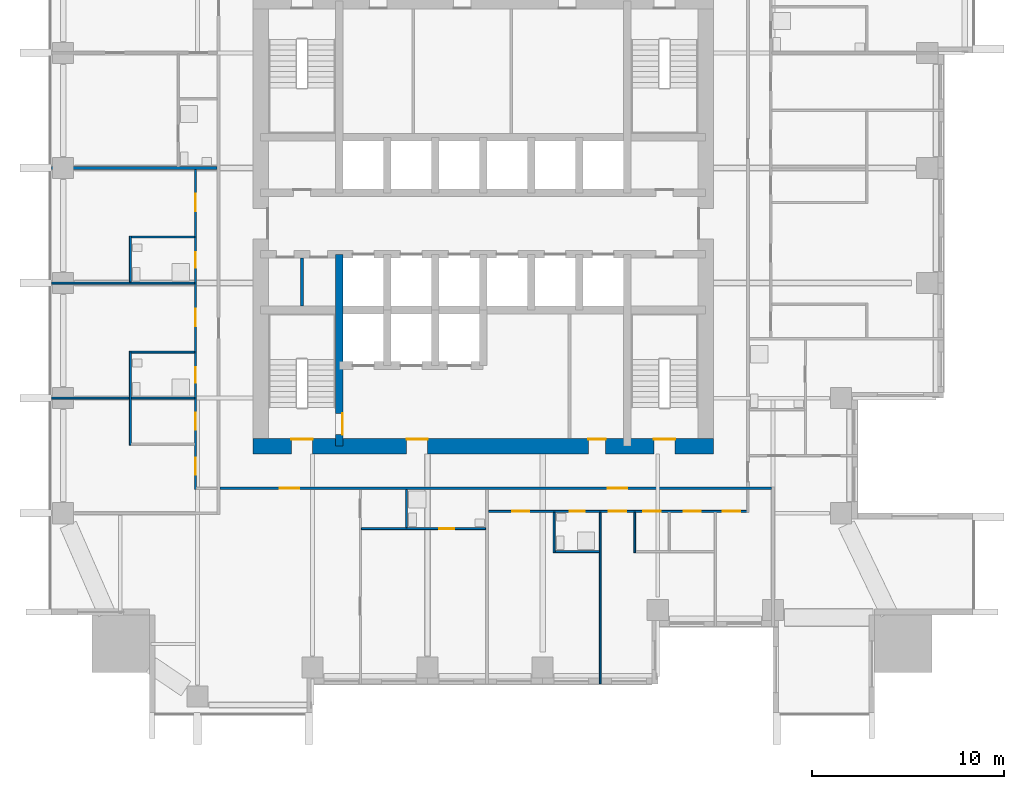
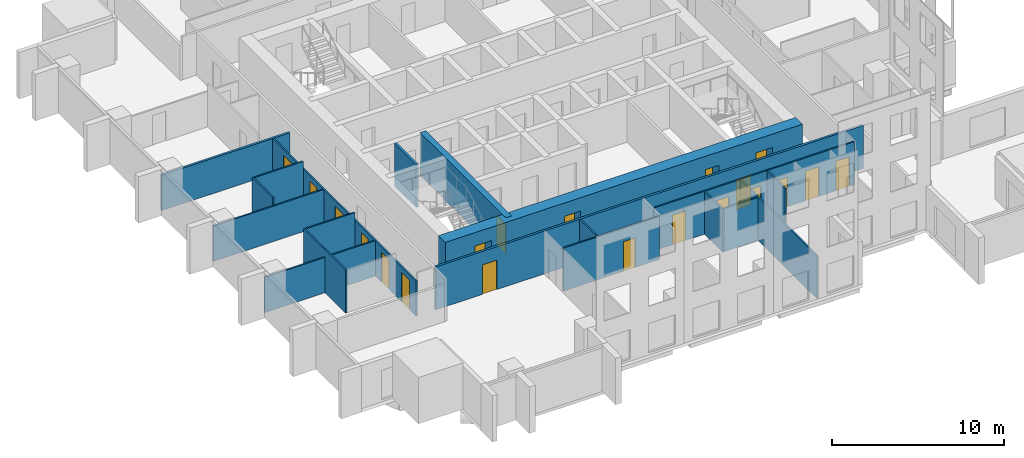
# One storey, part 4 of 13: 20 doors, 19 walls, 20 openings.
"""IFC4 building model written with IfcOpenShell, lengths in metres."""

from ifc_helpers import new_model, si_unit, direction, frame, frame_2d, origin, place, context, subcontext, project, spatial, rectangle, extrude, material, layer, layer_set, type_object, element, fill, save


model = new_model("IFC4")

# Units and contexts
model_context = context("Model", 3, precision=1e-05, world=origin(), true_north=direction((0.0, 1.0)))
body_context = subcontext(model_context, "Body", "Model", "MODEL_VIEW")
ifc_project = project(units=[si_unit("LENGTHUNIT", "METRE"), si_unit("AREAUNIT", "SQUARE_METRE"), si_unit("VOLUMEUNIT", "CUBIC_METRE"), si_unit("PLANEANGLEUNIT", "RADIAN"), si_unit("MASSUNIT", "GRAM", prefix="KILO")], contexts=[model_context])

# Site, building, storey
site_placement = place(None, origin())
site = spatial("IfcSite", under=ifc_project, at=site_placement, CompositionType="ELEMENT")
building_placement = place(site_placement, origin())
building = spatial("IfcBuilding", under=site, at=building_placement, Name="Amberfall Residences", CompositionType="ELEMENT")
storey_placement = place(building_placement, frame((0.0, 0.0, 78.699951171875)))
storey = spatial("IfcBuildingStorey", under=building, at=storey_placement, Name="L20", CompositionType="ELEMENT", Elevation=78.699951171875)

# Wall, opening, door
ifc_material_1 = material(Name="Concrete C70", Category="concrete")
ifc_layer_1 = layer(ifc_material_1, 0.39990234375)
ifc_layer_set_1 = layer_set([ifc_layer_1], Name="Core wall 400 C70")
wall_type_1 = type_object("IfcWallType", Name="Core wall 400 C70", PredefinedType="SHEAR", material=ifc_layer_set_1)
wall_1_placement = place(storey_placement, frame((67.0, 33.89990234375, 0.0), z_axis=(0.0, 0.0, 1.0), x_axis=(0.0, 1.0, 0.0)))
wall_1 = element("IfcWall", 1, at=wall_1_placement, inside=storey, type_object=wall_type_1, Name="Core wall RW4 L20 V45S", PredefinedType="SHEAR", context=body_context, shape_type="SweptSolid", body=[
    extrude(rectangle(XDim=10.0, YDim=0.39990234375, at=frame_2d((5.0, 0.0))), origin(), (0.0, 0.0, 1.0), 3.050048828125),
])
opening_1_placement = place(wall_1_placement, frame((0.60009765625, 0.0, 0.0)))
opening_1 = element("IfcOpeningElement", 2, at=opening_1_placement, cuts=wall_1, Name="Opening FL1", PredefinedType="OPENING", context=body_context, shape_type="SweptSolid", body=[
    extrude(rectangle(XDim=1.10009765625, YDim=2.10009765625, at=frame_2d((0.550048828125, 1.050048828125))), frame((0.0, 0.2099609375, 0.0), z_axis=(0.0, -1.0, 0.0), x_axis=(1.0, 0.0, 0.0)), (0.0, 0.0, 1.0), 0.419921875),
])
ifc_material_2 = material(Name="Steel fire door set", Category="steel")
door_type_1 = type_object("IfcDoorType", Name="Firefighting lobby door 1100 x 2100", OperationType="SINGLE_SWING_LEFT", PredefinedType="DOOR", material=ifc_material_2)
door_1_placement = place(opening_1_placement, origin())
door_1 = element("IfcDoor", 3, at=door_1_placement, inside=storey, type_object=door_type_1, Name="FL1 L20", OperationType="SINGLE_SWING_RIGHT", OverallHeight=2.10009765625, OverallWidth=1.10009765625, PredefinedType="DOOR", context=body_context, shape_type="SweptSolid", body=[
    extrude(rectangle(XDim=1.10009765625, YDim=2.10009765625, at=frame_2d((0.550048828125, 1.050048828125))), frame((0.0, -0.1376953125, 0.0), z_axis=(0.0, -1.0, 0.0), x_axis=(1.0, 0.0, 0.0)), (0.0, 0.0, 1.0), 0.050048828125),
])
fill(opening_1, door_1)

# Wall, openings, doors
ifc_layer_2 = layer(ifc_material_1, 0.800048828125)
ifc_layer_set_2 = layer_set([ifc_layer_2], Name="Core wall 800 C70")
wall_type_2 = type_object("IfcWallType", Name="Core wall 800 C70", PredefinedType="SHEAR", material=ifc_layer_set_2)
wall_2_placement = place(storey_placement, frame((62.5, 33.89990234375, 0.0), z_axis=(0.0, 0.0, 1.0), x_axis=(1.0, 0.0, 0.0)))
wall_2 = element("IfcWall", 4, at=wall_2_placement, inside=storey, type_object=wall_type_2, Name="Core wall RW3 L20 OS", PredefinedType="SHEAR", context=body_context, shape_type="SweptSolid", body=[
    extrude(rectangle(XDim=24.0, YDim=0.800048828125, at=frame_2d((12.0, 0.0))), origin(), (0.0, 0.0, 1.0), 3.050048828125),
])
opening_2_placement = place(wall_2_placement, frame((2.0, 0.0, 0.0)))
opening_2 = element("IfcOpeningElement", 5, at=opening_2_placement, cuts=wall_2, Name="Opening SD1", PredefinedType="OPENING", context=body_context, shape_type="SweptSolid", body=[
    extrude(rectangle(XDim=1.10009765625, YDim=2.10009765625, at=frame_2d((0.550048828125, 1.050048828125))), frame((0.0, 0.409912109375, 0.0), z_axis=(0.0, -1.0, 0.0), x_axis=(1.0, 0.0, 0.0)), (0.0, 0.0, 1.0), 0.820068359375),
])
opening_3_placement = place(wall_2_placement, frame((20.89990234375, 0.0, 0.0)))
opening_3 = element("IfcOpeningElement", 6, at=opening_3_placement, cuts=wall_2, Name="Opening SD1", PredefinedType="OPENING", context=body_context, shape_type="SweptSolid", body=[
    extrude(rectangle(XDim=1.10009765625, YDim=2.10009765625, at=frame_2d((0.550048828125, 1.050048828125))), frame((0.0, 0.409912109375, 0.0), z_axis=(0.0, -1.0, 0.0), x_axis=(1.0, 0.0, 0.0)), (0.0, 0.0, 1.0), 0.820068359375),
])
opening_4_placement = place(wall_2_placement, frame((8.0, 0.0, 0.0)))
opening_4 = element("IfcOpeningElement", 7, at=opening_4_placement, cuts=wall_2, Name="Opening FL1", PredefinedType="OPENING", context=body_context, shape_type="SweptSolid", body=[
    extrude(rectangle(XDim=1.10009765625, YDim=2.10009765625, at=frame_2d((0.550048828125, 1.050048828125))), frame((0.0, 0.409912109375, 0.0), z_axis=(0.0, -1.0, 0.0), x_axis=(1.0, 0.0, 0.0)), (0.0, 0.0, 1.0), 0.820068359375),
])
opening_5_placement = place(wall_2_placement, frame((17.487548828125, 0.0, 0.0)))
opening_5 = element("IfcOpeningElement", 8, at=opening_5_placement, cuts=wall_2, Name="Opening RD1", PredefinedType="OPENING", context=body_context, shape_type="SweptSolid", body=[
    extrude(rectangle(XDim=0.89990234375, YDim=2.10009765625, at=frame_2d((0.449951171875, 1.050048828125))), frame((0.0, 0.409912109375, 0.0), z_axis=(0.0, -1.0, 0.0), x_axis=(1.0, 0.0, 0.0)), (0.0, 0.0, 1.0), 0.820068359375),
])
door_2_placement = place(opening_4_placement, origin())
door_2 = element("IfcDoor", 9, at=door_2_placement, inside=storey, type_object=door_type_1, Name="FL1 L20", OperationType="SINGLE_SWING_LEFT", OverallHeight=2.10009765625, OverallWidth=1.10009765625, PredefinedType="DOOR", context=body_context, shape_type="SweptSolid", body=[
    extrude(rectangle(XDim=1.10009765625, YDim=2.10009765625, at=frame_2d((0.550048828125, 1.050048828125))), frame((0.0, 0.3876953125, 0.0), z_axis=(0.0, -1.0, 0.0), x_axis=(1.0, 0.0, 0.0)), (0.0, 0.0, 1.0), 0.050048828125),
])
fill(opening_4, door_2)
door_type_2 = type_object("IfcDoorType", Name="Service room door 900 x 2100", OperationType="SINGLE_SWING_LEFT", PredefinedType="DOOR", material=ifc_material_2)
door_3_placement = place(opening_5_placement, origin())
door_3 = element("IfcDoor", 10, at=door_3_placement, inside=storey, type_object=door_type_2, Name="RD1 L20", OperationType="SINGLE_SWING_LEFT", OverallHeight=2.10009765625, OverallWidth=0.89990234375, PredefinedType="DOOR", context=body_context, shape_type="SweptSolid", body=[
    extrude(rectangle(XDim=0.89990234375, YDim=2.10009765625, at=frame_2d((0.449951171875, 1.050048828125))), frame((0.0, 0.3876953125, 0.0), z_axis=(0.0, -1.0, 0.0), x_axis=(1.0, 0.0, 0.0)), (0.0, 0.0, 1.0), 0.050048828125),
])
fill(opening_5, door_3)
door_type_3 = type_object("IfcDoorType", Name="Stair door 1100 x 2100", OperationType="SINGLE_SWING_LEFT", PredefinedType="DOOR", material=ifc_material_2)
door_4_placement = place(opening_2_placement, origin())
door_4 = element("IfcDoor", 11, at=door_4_placement, inside=storey, type_object=door_type_3, Name="SD1 L20", OperationType="SINGLE_SWING_LEFT", OverallHeight=2.10009765625, OverallWidth=1.10009765625, PredefinedType="DOOR", context=body_context, shape_type="SweptSolid", body=[
    extrude(rectangle(XDim=1.10009765625, YDim=2.10009765625, at=frame_2d((0.550048828125, 1.050048828125))), frame((0.0, 0.3876953125, 0.0), z_axis=(0.0, -1.0, 0.0), x_axis=(1.0, 0.0, 0.0)), (0.0, 0.0, 1.0), 0.050048828125),
])
fill(opening_2, door_4)
door_5_placement = place(opening_3_placement, origin())
door_5 = element("IfcDoor", 12, at=door_5_placement, inside=storey, type_object=door_type_3, Name="SD1 L20", OperationType="SINGLE_SWING_RIGHT", OverallHeight=2.10009765625, OverallWidth=1.10009765625, PredefinedType="DOOR", context=body_context, shape_type="SweptSolid", body=[
    extrude(rectangle(XDim=1.10009765625, YDim=2.10009765625, at=frame_2d((0.550048828125, 1.050048828125))), frame((0.0, 0.3876953125, 0.0), z_axis=(0.0, -1.0, 0.0), x_axis=(1.0, 0.0, 0.0)), (0.0, 0.0, 1.0), 0.050048828125),
])
fill(opening_3, door_5)

# Walls
ifc_material_3 = material(Name="Gypsum board on metal stud")
ifc_layer_3 = layer(ifc_material_3, 0.10009765625)
ifc_layer_set_3 = layer_set([ifc_layer_3], Name="Flat partition 100")
wall_type_3 = type_object("IfcWallType", Name="Flat partition 100", PredefinedType="PARTITIONING", material=ifc_layer_set_3)
wall_3_placement = place(storey_placement, frame((56.10009765625, 33.949951171875, 0.0), z_axis=(0.0, 0.0, 1.0), x_axis=(0.0, 1.0, 0.0)))
element("IfcWall", 13, at=wall_3_placement, inside=storey, type_object=wall_type_3, Name="Partition 001", PredefinedType="PARTITIONING", context=body_context, shape_type="SweptSolid", body=[
    extrude(rectangle(XDim=4.900146484375, YDim=0.10009765625, at=frame_2d((2.4501953125, 0.0))), origin(), (0.0, 0.0, 1.0), 3.050048828125),
])
wall_4_placement = place(storey_placement, frame((56.10009765625, 42.449951171875, 0.0), z_axis=(0.0, 0.0, 1.0), x_axis=(0.0, 1.0, 0.0)))
element("IfcWall", 14, at=wall_4_placement, inside=storey, type_object=wall_type_3, Name="Partition 002", PredefinedType="PARTITIONING", context=body_context, shape_type="SweptSolid", body=[
    extrude(rectangle(XDim=2.400146484375, YDim=0.10009765625, at=frame_2d((1.2001953125, 0.0))), origin(), (0.0, 0.0, 1.0), 3.050048828125),
])

# Wall, openings, doors
wall_5_placement = place(storey_placement, frame((59.5, 31.64990234375, 0.0), z_axis=(0.0, 0.0, 1.0), x_axis=(0.0, 1.0, 0.0)))
wall_5 = element("IfcWall", 15, at=wall_5_placement, inside=storey, type_object=wall_type_3, Name="Partition 004", PredefinedType="PARTITIONING", context=body_context, shape_type="SweptSolid", body=[
    extrude(rectangle(XDim=16.675048828125, YDim=0.10009765625, at=frame_2d((8.33740234375, 0.0))), origin(), (0.0, 0.0, 1.0), 2.510009765625),
])
opening_6_placement = place(wall_5_placement, frame((0.75, 0.0, 0.0)))
opening_6 = element("IfcOpeningElement", 16, at=opening_6_placement, cuts=wall_5, Name="Opening D41", PredefinedType="OPENING", context=body_context, shape_type="SweptSolid", body=[
    extrude(rectangle(XDim=0.89990234375, YDim=2.10009765625, at=frame_2d((0.449951171875, 1.050048828125))), frame((0.0, 0.06005859375, 0.0), z_axis=(0.0, -1.0, 0.0), x_axis=(1.0, 0.0, 0.0)), (0.0, 0.0, 1.0), 0.1201171875),
])
opening_7_placement = place(wall_5_placement, frame((3.10009765625, 0.0, 0.0)))
opening_7 = element("IfcOpeningElement", 17, at=opening_7_placement, cuts=wall_5, Name="Opening D41", PredefinedType="OPENING", context=body_context, shape_type="SweptSolid", body=[
    extrude(rectangle(XDim=0.89990234375, YDim=2.10009765625, at=frame_2d((0.449951171875, 1.050048828125))), frame((0.0, 0.06005859375, 0.0), z_axis=(0.0, -1.0, 0.0), x_axis=(1.0, 0.0, 0.0)), (0.0, 0.0, 1.0), 0.1201171875),
])
opening_8_placement = place(wall_5_placement, frame((8.5, 0.0, 0.0)))
opening_8 = element("IfcOpeningElement", 18, at=opening_8_placement, cuts=wall_5, Name="Opening D41", PredefinedType="OPENING", context=body_context, shape_type="SweptSolid", body=[
    extrude(rectangle(XDim=0.89990234375, YDim=2.10009765625, at=frame_2d((0.449951171875, 1.050048828125))), frame((0.0, 0.06005859375, 0.0), z_axis=(0.0, -1.0, 0.0), x_axis=(1.0, 0.0, 0.0)), (0.0, 0.0, 1.0), 0.1201171875),
])
opening_9_placement = place(wall_5_placement, frame((14.5, 0.0, 0.0)))
opening_9 = element("IfcOpeningElement", 19, at=opening_9_placement, cuts=wall_5, Name="Opening D41", PredefinedType="OPENING", context=body_context, shape_type="SweptSolid", body=[
    extrude(rectangle(XDim=0.89990234375, YDim=2.10009765625, at=frame_2d((0.449951171875, 1.050048828125))), frame((0.0, 0.06005859375, 0.0), z_axis=(0.0, -1.0, 0.0), x_axis=(1.0, 0.0, 0.0)), (0.0, 0.0, 1.0), 0.1201171875),
])
opening_10_placement = place(wall_5_placement, frame((5.550048828125, 0.0, 0.0)))
opening_10 = element("IfcOpeningElement", 20, at=opening_10_placement, cuts=wall_5, Name="Opening D42", PredefinedType="OPENING", context=body_context, shape_type="SweptSolid", body=[
    extrude(rectangle(XDim=0.800048828125, YDim=2.10009765625, at=frame_2d((0.39990234375, 1.050048828125))), frame((0.0, 0.06005859375, 0.0), z_axis=(0.0, -1.0, 0.0), x_axis=(1.0, 0.0, 0.0)), (0.0, 0.0, 1.0), 0.1201171875),
])
opening_11_placement = place(wall_5_placement, frame((11.550048828125, 0.0, 0.0)))
opening_11 = element("IfcOpeningElement", 21, at=opening_11_placement, cuts=wall_5, Name="Opening D42", PredefinedType="OPENING", context=body_context, shape_type="SweptSolid", body=[
    extrude(rectangle(XDim=0.800048828125, YDim=2.10009765625, at=frame_2d((0.39990234375, 1.050048828125))), frame((0.0, 0.06005859375, 0.0), z_axis=(0.0, -1.0, 0.0), x_axis=(1.0, 0.0, 0.0)), (0.0, 0.0, 1.0), 0.1201171875),
])
ifc_material_4 = material(Name="Timber", Category="wood")
door_type_4 = type_object("IfcDoorType", Name="Bathroom door 800 x 2100", OperationType="SINGLE_SWING_LEFT", PredefinedType="DOOR", material=ifc_material_4)
door_6_placement = place(opening_10_placement, origin())
door_6 = element("IfcDoor", 22, at=door_6_placement, inside=storey, type_object=door_type_4, Name="Door 2007 bath1", OperationType="SINGLE_SWING_LEFT", OverallHeight=2.10009765625, OverallWidth=0.800048828125, PredefinedType="DOOR", context=body_context, shape_type="SweptSolid", body=[
    extrude(rectangle(XDim=0.800048828125, YDim=2.10009765625, at=frame_2d((0.39990234375, 1.050048828125))), frame((0.0, 0.02490234375, 0.0), z_axis=(0.0, -1.0, 0.0), x_axis=(1.0, 0.0, 0.0)), (0.0, 0.0, 1.0), 0.050048828125),
])
fill(opening_10, door_6)
door_7_placement = place(opening_11_placement, origin())
door_7 = element("IfcDoor", 23, at=door_7_placement, inside=storey, type_object=door_type_4, Name="Door 2007 bath2", OperationType="SINGLE_SWING_LEFT", OverallHeight=2.10009765625, OverallWidth=0.800048828125, PredefinedType="DOOR", context=body_context, shape_type="SweptSolid", body=[
    extrude(rectangle(XDim=0.800048828125, YDim=2.10009765625, at=frame_2d((0.39990234375, 1.050048828125))), frame((0.0, 0.02490234375, 0.0), z_axis=(0.0, -1.0, 0.0), x_axis=(1.0, 0.0, 0.0)), (0.0, 0.0, 1.0), 0.050048828125),
])
fill(opening_11, door_7)
door_type_5 = type_object("IfcDoorType", Name="Internal door 900 x 2100", OperationType="SINGLE_SWING_LEFT", PredefinedType="DOOR", material=ifc_material_4)
door_8_placement = place(opening_6_placement, origin())
door_8 = element("IfcDoor", 24, at=door_8_placement, inside=storey, type_object=door_type_5, Name="Door 2007 living", OperationType="SINGLE_SWING_LEFT", OverallHeight=2.10009765625, OverallWidth=0.89990234375, PredefinedType="DOOR", context=body_context, shape_type="SweptSolid", body=[
    extrude(rectangle(XDim=0.89990234375, YDim=2.10009765625, at=frame_2d((0.449951171875, 1.050048828125))), frame((0.0, 0.02490234375, 0.0), z_axis=(0.0, -1.0, 0.0), x_axis=(1.0, 0.0, 0.0)), (0.0, 0.0, 1.0), 0.050048828125),
])
fill(opening_6, door_8)
door_9_placement = place(opening_7_placement, origin())
door_9 = element("IfcDoor", 25, at=door_9_placement, inside=storey, type_object=door_type_5, Name="Door 2007 kitchen", OperationType="SINGLE_SWING_LEFT", OverallHeight=2.10009765625, OverallWidth=0.89990234375, PredefinedType="DOOR", context=body_context, shape_type="SweptSolid", body=[
    extrude(rectangle(XDim=0.89990234375, YDim=2.10009765625, at=frame_2d((0.449951171875, 1.050048828125))), frame((0.0, 0.02490234375, 0.0), z_axis=(0.0, -1.0, 0.0), x_axis=(1.0, 0.0, 0.0)), (0.0, 0.0, 1.0), 0.050048828125),
])
fill(opening_7, door_9)
door_10_placement = place(opening_8_placement, origin())
door_10 = element("IfcDoor", 26, at=door_10_placement, inside=storey, type_object=door_type_5, Name="Door 2007 bedroom1", OperationType="SINGLE_SWING_LEFT", OverallHeight=2.10009765625, OverallWidth=0.89990234375, PredefinedType="DOOR", context=body_context, shape_type="SweptSolid", body=[
    extrude(rectangle(XDim=0.89990234375, YDim=2.10009765625, at=frame_2d((0.449951171875, 1.050048828125))), frame((0.0, 0.02490234375, 0.0), z_axis=(0.0, -1.0, 0.0), x_axis=(1.0, 0.0, 0.0)), (0.0, 0.0, 1.0), 0.050048828125),
])
fill(opening_8, door_10)
door_11_placement = place(opening_9_placement, origin())
door_11 = element("IfcDoor", 27, at=door_11_placement, inside=storey, type_object=door_type_5, Name="Door 2007 bedroom2", OperationType="SINGLE_SWING_LEFT", OverallHeight=2.10009765625, OverallWidth=0.89990234375, PredefinedType="DOOR", context=body_context, shape_type="SweptSolid", body=[
    extrude(rectangle(XDim=0.89990234375, YDim=2.10009765625, at=frame_2d((0.449951171875, 1.050048828125))), frame((0.0, 0.02490234375, 0.0), z_axis=(0.0, -1.0, 0.0), x_axis=(1.0, 0.0, 0.0)), (0.0, 0.0, 1.0), 0.050048828125),
])
fill(opening_9, door_11)

# Walls
wall_6_placement = place(storey_placement, frame((70.5, 29.64990234375, 0.0), z_axis=(0.0, 0.0, 1.0), x_axis=(0.0, 1.0, 0.0)))
element("IfcWall", 28, at=wall_6_placement, inside=storey, type_object=wall_type_3, Name="Partition 010", PredefinedType="PARTITIONING", context=body_context, shape_type="SweptSolid", body=[
    extrude(rectangle(XDim=1.97509765625, YDim=0.10009765625, at=frame_2d((0.987548828125, 0.0))), origin(), (0.0, 0.0, 1.0), 3.050048828125),
])
wall_7_placement = place(storey_placement, frame((78.199951171875, 28.35009765625, 0.0), z_axis=(0.0, 0.0, 1.0), x_axis=(0.0, 1.0, 0.0)))
element("IfcWall", 29, at=wall_7_placement, inside=storey, type_object=wall_type_3, Name="Partition 013", PredefinedType="PARTITIONING", context=body_context, shape_type="SweptSolid", body=[
    extrude(rectangle(XDim=2.099853515625, YDim=0.10009765625, at=frame_2d((1.0498046875, 0.0))), origin(), (0.0, 0.0, 1.0), 3.050048828125),
])
wall_8_placement = place(storey_placement, frame((80.60009765625, 21.5, 0.0), z_axis=(0.0, 0.0, 1.0), x_axis=(0.0, 1.0, 0.0)))
element("IfcWall", 30, at=wall_8_placement, inside=storey, type_object=wall_type_3, Name="Partition 014", PredefinedType="PARTITIONING", context=body_context, shape_type="SweptSolid", body=[
    extrude(rectangle(XDim=8.949951171875, YDim=0.10009765625, at=frame_2d((4.47509765625, 0.0))), origin(), (0.0, 0.0, 1.0), 3.050048828125),
])
wall_9_placement = place(storey_placement, frame((82.39990234375, 28.35009765625, 0.0), z_axis=(0.0, 0.0, 1.0), x_axis=(0.0, 1.0, 0.0)))
element("IfcWall", 31, at=wall_9_placement, inside=storey, type_object=wall_type_3, Name="Partition 016", PredefinedType="PARTITIONING", context=body_context, shape_type="SweptSolid", body=[
    extrude(rectangle(XDim=2.099853515625, YDim=0.10009765625, at=frame_2d((1.0498046875, 0.0))), origin(), (0.0, 0.0, 1.0), 3.050048828125),
])
wall_10_placement = place(storey_placement, frame((56.14990234375, 44.800048828125, 0.0), z_axis=(0.0, 0.0, 1.0), x_axis=(1.0, 0.0, 0.0)))
element("IfcWall", 32, at=wall_10_placement, inside=storey, type_object=wall_type_3, Name="Partition 038", PredefinedType="PARTITIONING", context=body_context, shape_type="SweptSolid", body=[
    extrude(rectangle(XDim=3.300048828125, YDim=0.10009765625, at=frame_2d((1.64990234375, 0.0))), origin(), (0.0, 0.0, 1.0), 3.050048828125),
])
wall_11_placement = place(storey_placement, frame((52.0, 42.39990234375, 0.0), z_axis=(0.0, 0.0, 1.0), x_axis=(1.0, 0.0, 0.0)))
element("IfcWall", 33, at=wall_11_placement, inside=storey, type_object=wall_type_3, Name="Partition 039", PredefinedType="PARTITIONING", context=body_context, shape_type="SweptSolid", body=[
    extrude(rectangle(XDim=7.449951171875, YDim=0.10009765625, at=frame_2d((3.72509765625, 0.0))), origin(), (0.0, 0.0, 1.0), 2.51611328125),
])
wall_12_placement = place(storey_placement, frame((56.14990234375, 38.800048828125, 0.0), z_axis=(0.0, 0.0, 1.0), x_axis=(1.0, 0.0, 0.0)))
element("IfcWall", 34, at=wall_12_placement, inside=storey, type_object=wall_type_3, Name="Partition 041", PredefinedType="PARTITIONING", context=body_context, shape_type="SweptSolid", body=[
    extrude(rectangle(XDim=3.300048828125, YDim=0.10009765625, at=frame_2d((1.64990234375, 0.0))), origin(), (0.0, 0.0, 1.0), 3.050048828125),
])
wall_13_placement = place(storey_placement, frame((52.0, 36.39990234375, 0.0), z_axis=(0.0, 0.0, 1.0), x_axis=(1.0, 0.0, 0.0)))
element("IfcWall", 35, at=wall_13_placement, inside=storey, type_object=wall_type_3, Name="Partition 042", PredefinedType="PARTITIONING", context=body_context, shape_type="SweptSolid", body=[
    extrude(rectangle(XDim=7.449951171875, YDim=0.10009765625, at=frame_2d((3.72509765625, 0.0))), origin(), (0.0, 0.0, 1.0), 2.51611328125),
])

# Wall, openings, doors
wall_14_placement = place(storey_placement, frame((88.25, 30.5, 0.0), z_axis=(0.0, 0.0, 1.0), x_axis=(-1.0, 0.0, 0.0)))
wall_14 = element("IfcWall", 36, at=wall_14_placement, inside=storey, type_object=wall_type_3, Name="Partition 047", PredefinedType="PARTITIONING", context=body_context, shape_type="SweptSolid", body=[
    extrude(rectangle(XDim=13.47509765625, YDim=0.10009765625, at=frame_2d((6.737548828125, 0.0))), origin(), (0.0, 0.0, 1.0), 3.050048828125),
])
opening_12_placement = place(wall_14_placement, frame((6.300048828125, 0.0, 0.0)))
opening_12 = element("IfcOpeningElement", 37, at=opening_12_placement, cuts=wall_14, Name="Opening D41", PredefinedType="OPENING", context=body_context, shape_type="SweptSolid", body=[
    extrude(rectangle(XDim=0.89990234375, YDim=2.10009765625, at=frame_2d((0.449951171875, 1.050048828125))), frame((0.0, 0.06005859375, 0.0), z_axis=(0.0, -1.0, 0.0), x_axis=(1.0, 0.0, 0.0)), (0.0, 0.0, 1.0), 0.1201171875),
])
opening_13_placement = place(wall_14_placement, frame((2.39990234375, 0.0, 0.0)))
opening_13 = element("IfcOpeningElement", 38, at=opening_13_placement, cuts=wall_14, Name="Opening D41", PredefinedType="OPENING", context=body_context, shape_type="SweptSolid", body=[
    extrude(rectangle(XDim=0.89990234375, YDim=2.10009765625, at=frame_2d((0.449951171875, 1.050048828125))), frame((0.0, 0.06005859375, 0.0), z_axis=(0.0, -1.0, 0.0), x_axis=(1.0, 0.0, 0.0)), (0.0, 0.0, 1.0), 0.1201171875),
])
opening_14_placement = place(wall_14_placement, frame((4.5, 0.0, 0.0)))
opening_14 = element("IfcOpeningElement", 39, at=opening_14_placement, cuts=wall_14, Name="Opening D41", PredefinedType="OPENING", context=body_context, shape_type="SweptSolid", body=[
    extrude(rectangle(XDim=0.89990234375, YDim=2.10009765625, at=frame_2d((0.449951171875, 1.050048828125))), frame((0.0, 0.06005859375, 0.0), z_axis=(0.0, -1.0, 0.0), x_axis=(1.0, 0.0, 0.0)), (0.0, 0.0, 1.0), 0.1201171875),
])
opening_15_placement = place(wall_14_placement, frame((11.35009765625, 0.0, 0.0)))
opening_15 = element("IfcOpeningElement", 40, at=opening_15_placement, cuts=wall_14, Name="Opening D41", PredefinedType="OPENING", context=body_context, shape_type="SweptSolid", body=[
    extrude(rectangle(XDim=0.89990234375, YDim=2.10009765625, at=frame_2d((0.449951171875, 1.050048828125))), frame((0.0, 0.06005859375, 0.0), z_axis=(0.0, -1.0, 0.0), x_axis=(1.0, 0.0, 0.0)), (0.0, 0.0, 1.0), 0.1201171875),
])
opening_16_placement = place(wall_14_placement, frame((0.35009765625, 0.0, 0.0)))
opening_16 = element("IfcOpeningElement", 41, at=opening_16_placement, cuts=wall_14, Name="Opening D41", PredefinedType="OPENING", context=body_context, shape_type="SweptSolid", body=[
    extrude(rectangle(XDim=0.89990234375, YDim=2.10009765625, at=frame_2d((0.449951171875, 1.050048828125))), frame((0.0, 0.06005859375, 0.0), z_axis=(0.0, -1.0, 0.0), x_axis=(1.0, 0.0, 0.0)), (0.0, 0.0, 1.0), 0.1201171875),
])
opening_17_placement = place(wall_14_placement, frame((8.449951171875, 0.0, 0.0)))
opening_17 = element("IfcOpeningElement", 42, at=opening_17_placement, cuts=wall_14, Name="Opening D42", PredefinedType="OPENING", context=body_context, shape_type="SweptSolid", body=[
    extrude(rectangle(XDim=0.800048828125, YDim=2.10009765625, at=frame_2d((0.39990234375, 1.050048828125))), frame((0.0, 0.06005859375, 0.0), z_axis=(0.0, -1.0, 0.0), x_axis=(1.0, 0.0, 0.0)), (0.0, 0.0, 1.0), 0.1201171875),
])
door_12_placement = place(opening_17_placement, origin())
door_12 = element("IfcDoor", 43, at=door_12_placement, inside=storey, type_object=door_type_4, Name="Door 2002 bath1", OperationType="SINGLE_SWING_LEFT", OverallHeight=2.10009765625, OverallWidth=0.800048828125, PredefinedType="DOOR", context=body_context, shape_type="SweptSolid", body=[
    extrude(rectangle(XDim=0.800048828125, YDim=2.10009765625, at=frame_2d((0.39990234375, 1.050048828125))), frame((0.0, 0.02490234375, 0.0), z_axis=(0.0, -1.0, 0.0), x_axis=(1.0, 0.0, 0.0)), (0.0, 0.0, 1.0), 0.050048828125),
])
fill(opening_17, door_12)
door_13_placement = place(opening_12_placement, origin())
door_13 = element("IfcDoor", 44, at=door_13_placement, inside=storey, type_object=door_type_5, Name="Door 2002 living", OperationType="SINGLE_SWING_LEFT", OverallHeight=2.10009765625, OverallWidth=0.89990234375, PredefinedType="DOOR", context=body_context, shape_type="SweptSolid", body=[
    extrude(rectangle(XDim=0.89990234375, YDim=2.10009765625, at=frame_2d((0.449951171875, 1.050048828125))), frame((0.0, 0.02490234375, 0.0), z_axis=(0.0, -1.0, 0.0), x_axis=(1.0, 0.0, 0.0)), (0.0, 0.0, 1.0), 0.050048828125),
])
fill(opening_12, door_13)
door_14_placement = place(opening_13_placement, origin())
door_14 = element("IfcDoor", 45, at=door_14_placement, inside=storey, type_object=door_type_5, Name="Door 2002 kitchen", OperationType="SINGLE_SWING_LEFT", OverallHeight=2.10009765625, OverallWidth=0.89990234375, PredefinedType="DOOR", context=body_context, shape_type="SweptSolid", body=[
    extrude(rectangle(XDim=0.89990234375, YDim=2.10009765625, at=frame_2d((0.449951171875, 1.050048828125))), frame((0.0, 0.02490234375, 0.0), z_axis=(0.0, -1.0, 0.0), x_axis=(1.0, 0.0, 0.0)), (0.0, 0.0, 1.0), 0.050048828125),
])
fill(opening_13, door_14)
door_15_placement = place(opening_14_placement, origin())
door_15 = element("IfcDoor", 46, at=door_15_placement, inside=storey, type_object=door_type_5, Name="Door 2002 utility", OperationType="SINGLE_SWING_LEFT", OverallHeight=2.10009765625, OverallWidth=0.89990234375, PredefinedType="DOOR", context=body_context, shape_type="SweptSolid", body=[
    extrude(rectangle(XDim=0.89990234375, YDim=2.10009765625, at=frame_2d((0.449951171875, 1.050048828125))), frame((0.0, 0.02490234375, 0.0), z_axis=(0.0, -1.0, 0.0), x_axis=(1.0, 0.0, 0.0)), (0.0, 0.0, 1.0), 0.050048828125),
])
fill(opening_14, door_15)
door_16_placement = place(opening_15_placement, origin())
door_16 = element("IfcDoor", 47, at=door_16_placement, inside=storey, type_object=door_type_5, Name="Door 2002 bedroom1", OperationType="SINGLE_SWING_LEFT", OverallHeight=2.10009765625, OverallWidth=0.89990234375, PredefinedType="DOOR", context=body_context, shape_type="SweptSolid", body=[
    extrude(rectangle(XDim=0.89990234375, YDim=2.10009765625, at=frame_2d((0.449951171875, 1.050048828125))), frame((0.0, 0.02490234375, 0.0), z_axis=(0.0, -1.0, 0.0), x_axis=(1.0, 0.0, 0.0)), (0.0, 0.0, 1.0), 0.050048828125),
])
fill(opening_15, door_16)
door_17_placement = place(opening_16_placement, origin())
door_17 = element("IfcDoor", 48, at=door_17_placement, inside=storey, type_object=door_type_5, Name="Door 2002 bedroom2", OperationType="SINGLE_SWING_LEFT", OverallHeight=2.10009765625, OverallWidth=0.89990234375, PredefinedType="DOOR", context=body_context, shape_type="SweptSolid", body=[
    extrude(rectangle(XDim=0.89990234375, YDim=2.10009765625, at=frame_2d((0.449951171875, 1.050048828125))), frame((0.0, 0.02490234375, 0.0), z_axis=(0.0, -1.0, 0.0), x_axis=(1.0, 0.0, 0.0)), (0.0, 0.0, 1.0), 0.050048828125),
])
fill(opening_16, door_17)

# Wall, opening, door
wall_15_placement = place(storey_placement, frame((68.14990234375, 29.60009765625, 0.0), z_axis=(0.0, 0.0, 1.0), x_axis=(1.0, 0.0, 0.0)))
wall_15 = element("IfcWall", 49, at=wall_15_placement, inside=storey, type_object=wall_type_3, Name="Partition 048", PredefinedType="PARTITIONING", context=body_context, shape_type="SweptSolid", body=[
    extrude(rectangle(XDim=6.47509765625, YDim=0.10009765625, at=frame_2d((3.237548828125, 0.0))), origin(), (0.0, 0.0, 1.0), 3.050048828125),
])
opening_18_placement = place(wall_15_placement, frame((4.050048828125, 0.0, 0.0)))
opening_18 = element("IfcOpeningElement", 50, at=opening_18_placement, cuts=wall_15, Name="Opening D42", PredefinedType="OPENING", context=body_context, shape_type="SweptSolid", body=[
    extrude(rectangle(XDim=0.800048828125, YDim=2.10009765625, at=frame_2d((0.39990234375, 1.050048828125))), frame((0.0, 0.06005859375, 0.0), z_axis=(0.0, -1.0, 0.0), x_axis=(1.0, 0.0, 0.0)), (0.0, 0.0, 1.0), 0.1201171875),
])
door_18_placement = place(opening_18_placement, origin())
door_18 = element("IfcDoor", 51, at=door_18_placement, inside=storey, type_object=door_type_4, Name="Door 2001 bath1", OperationType="SINGLE_SWING_LEFT", OverallHeight=2.10009765625, OverallWidth=0.800048828125, PredefinedType="DOOR", context=body_context, shape_type="SweptSolid", body=[
    extrude(rectangle(XDim=0.800048828125, YDim=2.10009765625, at=frame_2d((0.39990234375, 1.050048828125))), frame((0.0, 0.02490234375, 0.0), z_axis=(0.0, -1.0, 0.0), x_axis=(1.0, 0.0, 0.0)), (0.0, 0.0, 1.0), 0.050048828125),
])
fill(opening_18, door_18)

# Walls
wall_16_placement = place(storey_placement, frame((78.25, 28.39990234375, 0.0), z_axis=(0.0, 0.0, 1.0), x_axis=(1.0, 0.0, 0.0)))
element("IfcWall", 52, at=wall_16_placement, inside=storey, type_object=wall_type_3, Name="Partition 049", PredefinedType="PARTITIONING", context=body_context, shape_type="SweptSolid", body=[
    extrude(rectangle(XDim=2.300048828125, YDim=0.10009765625, at=frame_2d((1.14990234375, 0.0))), origin(), (0.0, 0.0, 1.0), 3.050048828125),
])
ifc_material_5 = material(Name="Blockwork, plastered", Category="masonry")
ifc_layer_4 = layer(ifc_material_5, 0.14990234375)
ifc_layer_set_4 = layer_set([ifc_layer_4], Name="Flat separating wall 150")
wall_type_4 = type_object("IfcWallType", Name="Flat separating wall 150", PredefinedType="PARTITIONING", material=ifc_layer_set_4)
wall_17_placement = place(storey_placement, frame((52.0, 48.39990234375, 0.0), z_axis=(0.0, 0.0, 1.0), x_axis=(1.0, 0.0, 0.0)))
element("IfcWall", 53, at=wall_17_placement, inside=storey, type_object=wall_type_4, Name="Separating wall 059", PredefinedType="PARTITIONING", context=body_context, shape_type="SweptSolid", body=[
    extrude(rectangle(XDim=8.625, YDim=0.14990234375, at=frame_2d((4.3125, 0.0))), origin(), (0.0, 0.0, 1.0), 2.51611328125),
])

# Wall, openings, doors
wall_18_placement = place(storey_placement, frame((89.52490234375, 31.699951171875, 0.0), z_axis=(0.0, 0.0, 1.0), x_axis=(-1.0, 0.0, 0.0)))
wall_18 = element("IfcWall", 54, at=wall_18_placement, inside=storey, type_object=wall_type_4, Name="Separating wall 061", PredefinedType="PARTITIONING", context=body_context, shape_type="SweptSolid", body=[
    extrude(rectangle(XDim=28.75, YDim=0.14990234375, at=frame_2d((14.375, 0.0))), origin(), (0.0, 0.0, 1.0), 3.050048828125),
])
opening_19_placement = place(wall_18_placement, frame((24.625, 0.0, 0.0)))
opening_19 = element("IfcOpeningElement", 55, at=opening_19_placement, cuts=wall_18, Name="Opening D40", PredefinedType="OPENING", context=body_context, shape_type="SweptSolid", body=[
    extrude(rectangle(XDim=1.0, YDim=2.10009765625, at=frame_2d((0.5, 1.050048828125))), frame((0.0, 0.0849609375, 0.0), z_axis=(0.0, -1.0, 0.0), x_axis=(1.0, 0.0, 0.0)), (0.0, 0.0, 1.0), 0.169921875),
])
opening_20_placement = place(wall_18_placement, frame((7.52490234375, 0.0, 0.0)))
opening_20 = element("IfcOpeningElement", 56, at=opening_20_placement, cuts=wall_18, Name="Opening D40", PredefinedType="OPENING", context=body_context, shape_type="SweptSolid", body=[
    extrude(rectangle(XDim=1.0, YDim=2.10009765625, at=frame_2d((0.5, 1.050048828125))), frame((0.0, 0.0849609375, 0.0), z_axis=(0.0, -1.0, 0.0), x_axis=(1.0, 0.0, 0.0)), (0.0, 0.0, 1.0), 0.169921875),
])
ifc_material_6 = material(Name="Timber, fire-rated", Category="wood")
door_type_6 = type_object("IfcDoorType", Name="Flat entrance door FD60 1000 x 2100", OperationType="SINGLE_SWING_LEFT", PredefinedType="DOOR", material=ifc_material_6)
door_19_placement = place(opening_19_placement, origin())
door_19 = element("IfcDoor", 57, at=door_19_placement, inside=storey, type_object=door_type_6, Name="Door 2001 entrance", OperationType="SINGLE_SWING_LEFT", OverallHeight=2.10009765625, OverallWidth=1.0, PredefinedType="DOOR", context=body_context, shape_type="SweptSolid", body=[
    extrude(rectangle(XDim=1.0, YDim=2.10009765625, at=frame_2d((0.5, 1.050048828125))), frame((0.0, 0.02490234375, 0.0), z_axis=(0.0, -1.0, 0.0), x_axis=(1.0, 0.0, 0.0)), (0.0, 0.0, 1.0), 0.050048828125),
])
fill(opening_19, door_19)
door_20_placement = place(opening_20_placement, origin())
door_20 = element("IfcDoor", 58, at=door_20_placement, inside=storey, type_object=door_type_6, Name="Door 2002 entrance", OperationType="SINGLE_SWING_LEFT", OverallHeight=2.10009765625, OverallWidth=1.0, PredefinedType="DOOR", context=body_context, shape_type="SweptSolid", body=[
    extrude(rectangle(XDim=1.0, YDim=2.10009765625, at=frame_2d((0.5, 1.050048828125))), frame((0.0, 0.02490234375, 0.0), z_axis=(0.0, -1.0, 0.0), x_axis=(1.0, 0.0, 0.0)), (0.0, 0.0, 1.0), 0.050048828125),
])
fill(opening_20, door_20)

# Wall
ifc_material_7 = material(Name="Concrete blockwork", Category="masonry")
ifc_layer_5 = layer(ifc_material_7, 0.14990234375)
ifc_layer_set_5 = layer_set([ifc_layer_5], Name="Riser wall 150")
wall_type_5 = type_object("IfcWallType", Name="Riser wall 150", PredefinedType="PLUMBINGWALL", material=ifc_layer_set_5)
wall_19_placement = place(storey_placement, frame((65.050048828125, 41.199951171875, 0.0), z_axis=(0.0, 0.0, 1.0), x_axis=(0.0, 1.0, 0.0)))
element("IfcWall", 59, at=wall_19_placement, inside=storey, type_object=wall_type_5, Name="L20 core wall ASW0", PredefinedType="PLUMBINGWALL", context=body_context, shape_type="SweptSolid", body=[
    extrude(rectangle(XDim=2.5, YDim=0.14990234375, at=frame_2d((1.25, 0.0))), origin(), (0.0, 0.0, 1.0), 3.050048828125),
])

save(model, "model.ifc")
